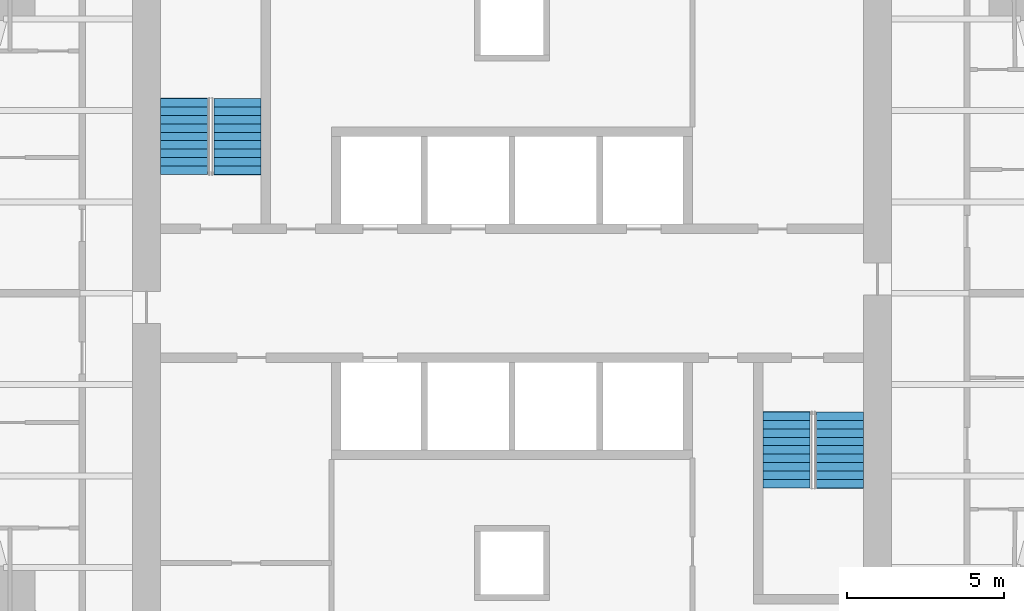
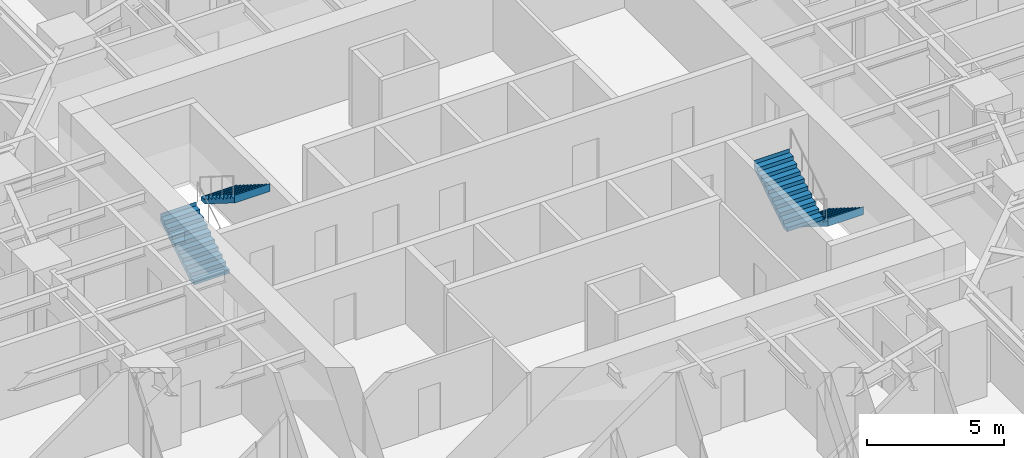
# One storey, part 15 of 16: 4 stair flights, 2 elements without a shape of their own.
"""IFC4 building model written with IfcOpenShell, lengths in metres."""

from ifc_helpers import new_model, si_unit, direction, frame, origin, place, context, subcontext, project, spatial, polyline, outline, extrude, material, type_object, element, aggregate, save


model = new_model("IFC4")

# Units and contexts
model_context = context("Model", 3, precision=1e-05, world=origin(), true_north=direction((0.0, 1.0)))
body_context = subcontext(model_context, "Body", "Model", "MODEL_VIEW")
ifc_project = project(units=[si_unit("LENGTHUNIT", "METRE"), si_unit("AREAUNIT", "SQUARE_METRE"), si_unit("VOLUMEUNIT", "CUBIC_METRE"), si_unit("PLANEANGLEUNIT", "RADIAN"), si_unit("MASSUNIT", "GRAM", prefix="KILO")], contexts=[model_context])

# Site, building, storey
site_placement = place(None, origin())
site = spatial("IfcSite", under=ifc_project, at=site_placement, CompositionType="ELEMENT")
building_placement = place(site_placement, origin())
building = spatial("IfcBuilding", under=site, at=building_placement, Name="Torsade Residences", CompositionType="ELEMENT")
storey_placement = place(building_placement, frame((0.0, 0.0, 35.39990234375)))
storey = spatial("IfcBuildingStorey", under=building, at=storey_placement, Name="L09", CompositionType="ELEMENT", Elevation=35.39990234375)

# Stair, stair flights
ifc_material_1 = material(Name="Precast concrete 40 MPa", Category="concrete")
stair_type = type_object("IfcStairType", Name="HALF-TURN FIRE STAIR 1500x3400", PredefinedType="HALF_TURN_STAIR", material=ifc_material_1)
stair_1_placement = place(storey_placement, origin())
stair_1 = element("IfcStair", 1, at=stair_1_placement, inside=storey, type_object=stair_type, Name="Stair ST1 L09", PredefinedType="HALF_TURN_STAIR")
ifc_material_2 = material(Name="Precast concrete 40 MPa", Category="concrete")
stair_flight_type = type_object("IfcStairFlightType", Name="PRECAST STAIR FLIGHT 1500x1700", PredefinedType="STRAIGHT", material=ifc_material_2)
stair_flight_1_placement = place(storey_placement, frame((29.550048828125, 33.780029296875, 0.0), z_axis=(0.0, 0.0, 1.0), x_axis=(0.0, 1.0, 0.0)))
stair_flight_1 = element("IfcStairFlight", 2, at=stair_flight_1_placement, type_object=stair_flight_type, Name="ST1 flight 1", NumberOfRisers=10, NumberOfTreads=9, PredefinedType="STRAIGHT", RiserHeight=0.17, TreadLength=0.27, context=body_context, shape_type="SweptSolid", body=[
    extrude(outline(polyline([(0.0, 0.0), (0.0, 0.169921875), (0.27001953125, 0.169921875), (0.27001953125, 0.340087890625), (0.5400390625, 0.340087890625), (0.5400390625, 0.510009765625), (0.81005859375, 0.510009765625), (0.81005859375, 0.679931640625), (1.080078125, 0.679931640625), (1.080078125, 0.85009765625), (1.35009765625, 0.85009765625), (1.35009765625, 1.02001953125), (1.6201171875, 1.02001953125), (1.6201171875, 1.18994140625), (1.889892578125, 1.18994140625), (1.889892578125, 1.360107421875), (2.159912109375, 1.360107421875), (2.159912109375, 1.530029296875), (2.429931640625, 1.530029296875), (2.429931640625, 1.699951171875), (2.43994140625, 1.699951171875), (2.43994140625, 1.352783203125), (2.429931640625, 1.352783203125), (0.28125, 0.0), (0.0, 0.0)])), frame((0.0, 0.75, 0.0), z_axis=(0.0, -1.0, 0.0), x_axis=(1.0, 0.0, 0.0)), (0.0, 0.0, 1.0), 1.5),
])
stair_flight_2_placement = place(storey_placement, frame((31.25, 36.2099609375, 1.7001953125), z_axis=(0.0, 0.0, 1.0), x_axis=(0.0, -1.0, 0.0)))
stair_flight_2 = element("IfcStairFlight", 3, at=stair_flight_2_placement, type_object=stair_flight_type, Name="ST1 flight 2", NumberOfRisers=10, NumberOfTreads=9, PredefinedType="STRAIGHT", RiserHeight=0.17, TreadLength=0.27, context=body_context, shape_type="SweptSolid", body=[
    extrude(outline(polyline([(0.0, 0.0), (0.0, 0.169921875), (0.27001953125, 0.169921875), (0.27001953125, 0.340087890625), (0.5400390625, 0.340087890625), (0.5400390625, 0.510009765625), (0.81005859375, 0.510009765625), (0.81005859375, 0.679931640625), (1.080078125, 0.679931640625), (1.080078125, 0.85009765625), (1.35009765625, 0.85009765625), (1.35009765625, 1.02001953125), (1.6201171875, 1.02001953125), (1.6201171875, 1.18994140625), (1.889892578125, 1.18994140625), (1.889892578125, 1.360107421875), (2.159912109375, 1.360107421875), (2.159912109375, 1.530029296875), (2.429931640625, 1.530029296875), (2.429931640625, 1.699951171875), (2.43994140625, 1.699951171875), (2.43994140625, 1.352783203125), (2.429931640625, 1.352783203125), (0.28125, 0.0), (0.0, 0.0)])), frame((0.0, 0.75, 0.0), z_axis=(0.0, -1.0, 0.0), x_axis=(1.0, 0.0, 0.0)), (0.0, 0.0, 1.0), 1.5),
])
aggregate(stair_1, [stair_flight_1, stair_flight_2])

stair_2_placement = place(storey_placement, origin())
stair_2 = element("IfcStair", 4, at=stair_2_placement, inside=storey, type_object=stair_type, Name="Stair ST2 L09", PredefinedType="HALF_TURN_STAIR")
stair_flight_3_placement = place(storey_placement, frame((50.449951171875, 26.219970703125, 0.0), z_axis=(0.0, 0.0, 1.0), x_axis=(0.0, -1.0, 0.0)))
stair_flight_3 = element("IfcStairFlight", 5, at=stair_flight_3_placement, type_object=stair_flight_type, Name="ST2 flight 1", NumberOfRisers=10, NumberOfTreads=9, PredefinedType="STRAIGHT", RiserHeight=0.17, TreadLength=0.27, context=body_context, shape_type="SweptSolid", body=[
    extrude(outline(polyline([(0.0, 0.0), (0.0, 0.169921875), (0.27001953125, 0.169921875), (0.27001953125, 0.340087890625), (0.5400390625, 0.340087890625), (0.5400390625, 0.510009765625), (0.81005859375, 0.510009765625), (0.81005859375, 0.679931640625), (1.080078125, 0.679931640625), (1.080078125, 0.85009765625), (1.35009765625, 0.85009765625), (1.35009765625, 1.02001953125), (1.6201171875, 1.02001953125), (1.6201171875, 1.18994140625), (1.889892578125, 1.18994140625), (1.889892578125, 1.360107421875), (2.159912109375, 1.360107421875), (2.159912109375, 1.530029296875), (2.429931640625, 1.530029296875), (2.429931640625, 1.699951171875), (2.43994140625, 1.699951171875), (2.43994140625, 1.352783203125), (2.429931640625, 1.352783203125), (0.28125, 0.0), (0.0, 0.0)])), frame((0.0, 0.75, 0.0), z_axis=(0.0, -1.0, 0.0), x_axis=(1.0, 0.0, 0.0)), (0.0, 0.0, 1.0), 1.5),
])
stair_flight_4_placement = place(storey_placement, frame((48.75, 23.7900390625, 1.7001953125), z_axis=(0.0, 0.0, 1.0), x_axis=(0.0, 1.0, 0.0)))
stair_flight_4 = element("IfcStairFlight", 6, at=stair_flight_4_placement, type_object=stair_flight_type, Name="ST2 flight 2", NumberOfRisers=10, NumberOfTreads=9, PredefinedType="STRAIGHT", RiserHeight=0.17, TreadLength=0.27, context=body_context, shape_type="SweptSolid", body=[
    extrude(outline(polyline([(0.0, 0.0), (0.0, 0.169921875), (0.27001953125, 0.169921875), (0.27001953125, 0.340087890625), (0.5400390625, 0.340087890625), (0.5400390625, 0.510009765625), (0.81005859375, 0.510009765625), (0.81005859375, 0.679931640625), (1.080078125, 0.679931640625), (1.080078125, 0.85009765625), (1.35009765625, 0.85009765625), (1.35009765625, 1.02001953125), (1.6201171875, 1.02001953125), (1.6201171875, 1.18994140625), (1.889892578125, 1.18994140625), (1.889892578125, 1.360107421875), (2.159912109375, 1.360107421875), (2.159912109375, 1.530029296875), (2.429931640625, 1.530029296875), (2.429931640625, 1.699951171875), (2.43994140625, 1.699951171875), (2.43994140625, 1.352783203125), (2.429931640625, 1.352783203125), (0.28125, 0.0), (0.0, 0.0)])), frame((0.0, 0.75, 0.0), z_axis=(0.0, -1.0, 0.0), x_axis=(1.0, 0.0, 0.0)), (0.0, 0.0, 1.0), 1.5),
])
aggregate(stair_2, [stair_flight_3, stair_flight_4])

save(model, "model.ifc")
